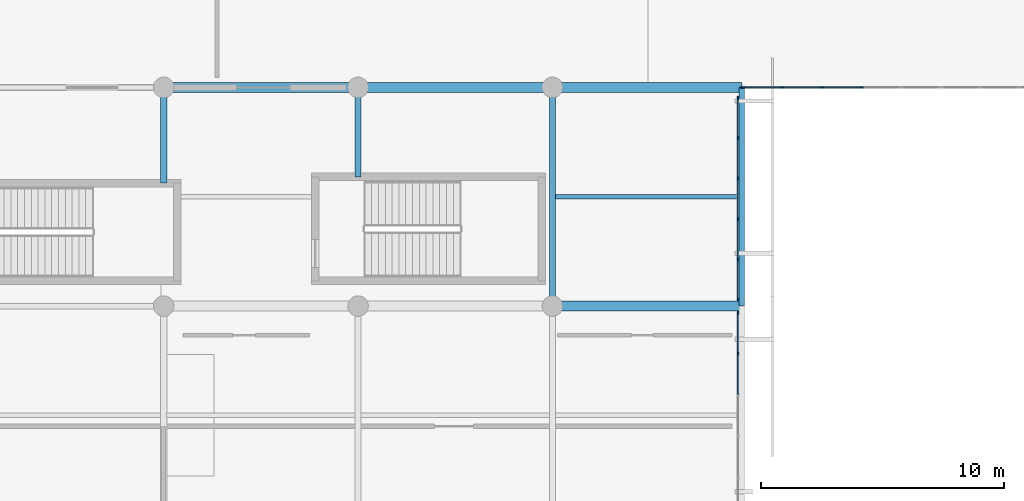
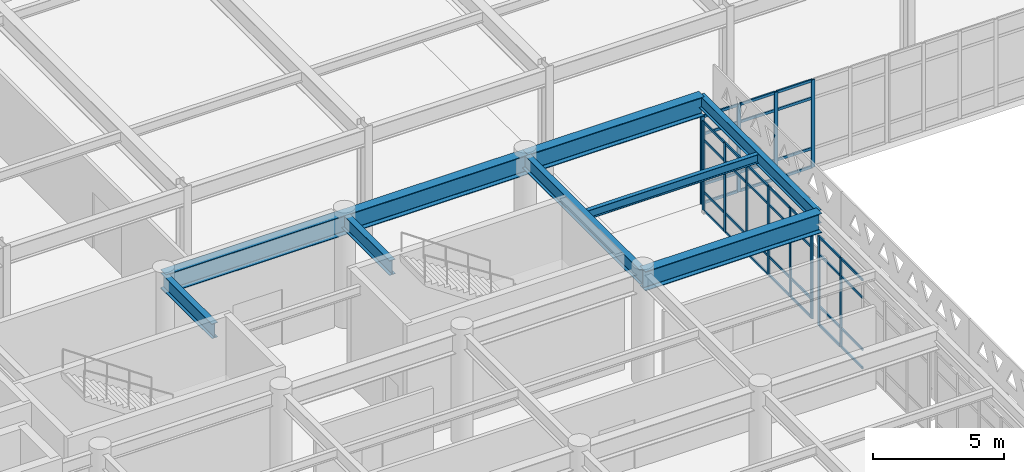
# One storey, part 25 of 84: 52 members, 8 beams, 3 elements without a shape of their own.
"""IFC4 building model written with IfcOpenShell, lengths in metres."""

import ifcopenshell
import ifcopenshell.guid

model = None  # the IFC model being written
_history = None  # IfcOwnerHistory: only IFC2X3 demands one
_inside = {}  # id of a spatial element -> (the spatial element, [elements in it])
_under = {}  # id of a project, library or spatial element -> (it, [spatial elements below it])
_declared = {}  # id of a project -> (the project, [libraries it declares])
_typed = {}  # id of a type object -> (the type object, [elements of that type])
_made_of = {}  # id of a material, layer set ... -> (it, [elements and type objects made of it])


def new_model(schema):
    """Start an empty IFC model of exactly this schema.

    Asked for "IFC4X3", IfcOpenShell would pick the latest addendum, in which some entities
    have other attributes; the version numbers below select the first issue.
    IFC2X3 requires an IfcOwnerHistory on every rooted entity: one is made here for all.
    """
    global model, _history
    if schema == "IFC4X3":
        model = ifcopenshell.file(schema_version=(4, 3, 0, 0))
    else:
        model = ifcopenshell.file(schema=schema)
    _inside.clear()
    _under.clear()
    _declared.clear()
    _typed.clear()
    _made_of.clear()
    _history = None
    if model.schema == "IFC2X3":
        org = make("IfcOrganization", Name="unknown")
        user = make(
            "IfcPersonAndOrganization",
            ThePerson=make("IfcPerson", FamilyName="unknown"),
            TheOrganization=org,
        )
        app = make(
            "IfcApplication",
            ApplicationDeveloper=org,
            Version="unknown",
            ApplicationFullName="unknown",
            ApplicationIdentifier="unknown",
        )
        _history = make(
            "IfcOwnerHistory",
            OwningUser=user,
            OwningApplication=app,
            ChangeAction="ADDED",
            CreationDate=0,
        )
    return model


def make(cls, **values):
    """One entity of the class cls with the attributes given. An attribute that is None is left unset."""
    return model.create_entity(
        cls, **{name: value for name, value in values.items() if value is not None}
    )


def rooted(cls, **values):
    """An entity with a GlobalId (a new one), such as an element, a storey or a relation."""
    return make(cls, GlobalId=ifcopenshell.guid.new(), OwnerHistory=_history, **values)


def si_unit(unit_type, name, prefix=None):
    """IfcSIUnit, for example si_unit("LENGTHUNIT", "METRE", prefix="MILLI")."""
    return make("IfcSIUnit", UnitType=unit_type, Prefix=prefix, Name=name)


def assignment(units):
    """IfcUnitAssignment: the units of a project."""
    return None if units is None else make("IfcUnitAssignment", Units=units)


def point(xyz):
    """IfcCartesianPoint."""
    return None if xyz is None else make("IfcCartesianPoint", Coordinates=xyz)


def direction(xyz):
    """IfcDirection."""
    return None if xyz is None else make("IfcDirection", DirectionRatios=xyz)


def frame(location, z_axis=None, x_axis=None):
    """IfcAxis2Placement3D, a coordinate frame: its origin and axes. An axis left out is left unset."""
    return make(
        "IfcAxis2Placement3D",
        Location=point(location),
        Axis=direction(z_axis),
        RefDirection=direction(x_axis),
    )


def frame_2d(location, x_axis=None):
    """IfcAxis2Placement2D, a coordinate frame in the plane: its origin and x axis."""
    return make(
        "IfcAxis2Placement2D", Location=point(location), RefDirection=direction(x_axis)
    )


def origin():
    """The frame at (0, 0, 0) with its axes left unset."""
    return frame((0.0, 0.0, 0.0))


def origin_2d():
    """The frame at (0, 0) in the plane with its x axis left unset."""
    return frame_2d((0.0, 0.0))


def place(relative_to, where):
    """IfcLocalPlacement: puts the frame where relative to a parent placement (None: the world)."""
    return make(
        "IfcLocalPlacement", PlacementRelTo=relative_to, RelativePlacement=where
    )


def context(
    kind, dimensions, precision=None, world=None, true_north=None, identifier=None
):
    """IfcGeometricRepresentationContext, for example the 3D "Model" context."""
    return make(
        "IfcGeometricRepresentationContext",
        ContextIdentifier=identifier,
        ContextType=kind,
        CoordinateSpaceDimension=dimensions,
        Precision=precision,
        WorldCoordinateSystem=world,
        TrueNorth=true_north,
    )


def subcontext(parent, identifier, kind, view, scale=None):
    """IfcGeometricRepresentationSubContext, for example "Body" below "Model"."""
    return make(
        "IfcGeometricRepresentationSubContext",
        ContextIdentifier=identifier,
        ContextType=kind,
        ParentContext=parent,
        TargetScale=scale,
        TargetView=view,
    )


def project(units=None, contexts=None):
    """IfcProject with its units and contexts."""
    return rooted(
        "IfcProject",
        Name="project",
        RepresentationContexts=contexts,
        UnitsInContext=assignment(units),
    )


def spatial(cls, under=None, at=None, **own):
    """A site, building, storey or space (cls), placed at a placement, below another one or the project."""
    s = rooted(cls, ObjectPlacement=at, **own)
    if under is not None:
        _under.setdefault(under.id(), (under, []))[1].append(s)
    return s


def profile(cls, at=None, kind="AREA", **sizes):
    """A parametric profile (cls). Its sizes go by their IFC names, for example OverallWidth=200.0."""
    return make(cls, ProfileType=kind, Position=at, **sizes)


def rectangle(**sizes):
    """IfcRectangleProfileDef."""
    return profile("IfcRectangleProfileDef", **sizes)


def i_section(**sizes):
    """IfcIShapeProfileDef."""
    return profile("IfcIShapeProfileDef", **sizes)


def extrude(swept, where, along, depth):
    """IfcExtrudedAreaSolid: the profile swept, set in the frame where, extruded along a direction by depth."""
    return make(
        "IfcExtrudedAreaSolid",
        SweptArea=swept,
        Position=where,
        ExtrudedDirection=direction(along),
        Depth=depth,
    )


def shape(context_of_items, identifier, shape_type, items):
    """IfcShapeRepresentation: the items that make up one representation, for example the "Body"."""
    return make(
        "IfcShapeRepresentation",
        ContextOfItems=context_of_items,
        RepresentationIdentifier=identifier,
        RepresentationType=shape_type,
        Items=items,
    )


def material(Name=None, Category=None):
    """IfcMaterial."""
    return make("IfcMaterial", Name=Name, Category=Category)


def layer(
    of_material, thickness, ventilated=None, Name=None, Category=None, Priority=None
):
    """IfcMaterialLayer: one layer of a wall or slab, of a material (None: an air gap)."""
    return make(
        "IfcMaterialLayer",
        Material=of_material,
        LayerThickness=thickness,
        IsVentilated=ventilated,
        Name=Name,
        Category=Category,
        Priority=Priority,
    )


def layer_set(layers, Name=None):
    """IfcMaterialLayerSet."""
    return make("IfcMaterialLayerSet", MaterialLayers=layers, LayerSetName=Name)


def material_profile(
    of_material, cross_section, Name=None, Category=None, Priority=None
):
    """IfcMaterialProfile: a cross section and its material."""
    return make(
        "IfcMaterialProfile",
        Name=Name,
        Material=of_material,
        Profile=cross_section,
        Priority=Priority,
        Category=Category,
    )


def profile_set(profiles, Name=None, composite=None):
    """IfcMaterialProfileSet."""
    return make(
        "IfcMaterialProfileSet",
        Name=Name,
        MaterialProfiles=profiles,
        CompositeProfile=composite,
    )


def made_of(thing, what):
    """Note that an element or type object is made of a material, layer set ...; save() writes the relation."""
    if what is not None:
        _made_of.setdefault(what.id(), (what, []))[1].append(thing)
    return thing


def type_object(cls, material=None, **own):
    """A type object (cls), such as IfcWallType, which elements share."""
    return made_of(rooted(cls, **own), material)


def element(
    cls,
    number,
    at=None,
    inside=None,
    cuts=None,
    type_object=None,
    material=None,
    context=None,
    identifier="Body",
    shape_type=None,
    held_by="IfcProductDefinitionShape",
    body=None,
    shapes=None,
    **own,
):
    """One element of the class cls, such as IfcWall. Its Tag is "e" and its number.

    at: its placement. inside: the storey or other place that contains it. cuts: it is an
    opening in that element (IfcRelVoidsElement). A single representation is given by context,
    identifier, shape_type and body (its items); several are given by shapes. held_by: the class
    of the entity that holds the representations. save() writes the other relations.
    """
    e = rooted(cls, Tag="e%d" % number, ObjectPlacement=at, **own)
    if body is not None:
        shapes = [shape(context, identifier, shape_type, body)]
    if shapes is not None:
        e.Representation = make(held_by, Representations=shapes)
    if inside is not None:
        _inside.setdefault(inside.id(), (inside, []))[1].append(e)
    if cuts is not None:
        rooted(
            "IfcRelVoidsElement", RelatingBuildingElement=cuts, RelatedOpeningElement=e
        )
    if type_object is not None:
        _typed.setdefault(type_object.id(), (type_object, []))[1].append(e)
    return made_of(e, material)


def aggregate(whole, parts):
    """IfcRelAggregates: a whole, such as a stair, and the parts it consists of."""
    return rooted("IfcRelAggregates", RelatingObject=whole, RelatedObjects=parts)


def save(model, path):
    """Write the relations noted so far, then the file.

    IfcRelAggregates (storeys below a building ...), IfcRelContainedInSpatialStructure (elements
    in a storey), IfcRelDefinesByType, IfcRelAssociatesMaterial and IfcRelDeclares: one each for
    every whole, place, type object, material and project.
    """
    for whole, parts in _under.values():
        aggregate(whole, parts)
    for where, things in _inside.values():
        rooted(
            "IfcRelContainedInSpatialStructure",
            RelatedElements=things,
            RelatingStructure=where,
        )
    for kind, things in _typed.values():
        rooted("IfcRelDefinesByType", RelatedObjects=things, RelatingType=kind)
    for what, things in _made_of.values():
        rooted("IfcRelAssociatesMaterial", RelatedObjects=things, RelatingMaterial=what)
    for by, libraries in _declared.values():
        rooted("IfcRelDeclares", RelatingContext=by, RelatedDefinitions=libraries)
    model.write(path)


model = new_model("IFC4")

# Units and contexts
model_context = context("Model", 3, precision=1e-05, world=origin(), true_north=direction((0.0, 1.0)))
body_context = subcontext(model_context, "Body", "Model", "MODEL_VIEW")
ifc_project = project(units=[si_unit("LENGTHUNIT", "METRE"), si_unit("AREAUNIT", "SQUARE_METRE"), si_unit("VOLUMEUNIT", "CUBIC_METRE"), si_unit("PLANEANGLEUNIT", "RADIAN"), si_unit("MASSUNIT", "GRAM", prefix="KILO")], contexts=[model_context])

# Site, building, storey
site_placement = place(None, origin())
site = spatial("IfcSite", under=ifc_project, at=site_placement, CompositionType="ELEMENT")
building_placement = place(site_placement, origin())
building = spatial("IfcBuilding", under=site, at=building_placement, Name="Tlacozan Convention Centre", CompositionType="ELEMENT")
storey_placement = place(building_placement, frame((0.0, 0.0, 6.0)))
storey = spatial("IfcBuildingStorey", under=building, at=storey_placement, Name="L01", CompositionType="ELEMENT", Elevation=6.0)

# Beams
ifc_material_1 = material(Name="Steel ASTM A992 Grade 50", Category="steel")
ifc_material_profile_1 = material_profile(ifc_material_1, i_section(OverallWidth=0.41796875, OverallDepth=0.912109375, WebThickness=0.019287109375, FlangeThickness=0.031982421875, FilletRadius=0.02001953125, at=origin_2d()), Name="IR 914x342.0")
ifc_profile_set_1 = profile_set([ifc_material_profile_1], Name="Steel ASTM A992 Grade 50")
beam_type_1 = type_object("IfcBeamType", Name="Cantilever Girder IR 914x342", PredefinedType="BEAM", material=ifc_profile_set_1)
for number, where, z_axis, x_axis, name in (
    (1, (112.0, 18.0, 4.68408203125), (1.0, 0.0, 0.0), (0.0, 1.0, 0.0), "L01 Cantilever Girder IR 914x342 322"),
    (2, (112.0, 27.0, 4.68408203125), (1.0, 0.0, 0.0), (0.0, 1.0, 0.0), "L01 Cantilever Girder IR 914x342 326"),
):
    element("IfcBeam", number, at=place(storey_placement, frame(where, z_axis=z_axis, x_axis=x_axis)), inside=storey, type_object=beam_type_1, Name=name, PredefinedType="BEAM", context=body_context, shape_type="SweptSolid", body=[
        extrude(i_section(OverallWidth=0.41796875, OverallDepth=0.912109375, WebThickness=0.019287109375, FlangeThickness=0.031982421875, FilletRadius=0.02001953125, at=origin_2d()), origin(), (0.0, 0.0, 1.0), 7.800048828125),
    ])

# Curtain wall, members
ifc_material_2 = material(Name="Dark Bronze Anodised Aluminium", Category="aluminium")
ifc_layer_1 = layer(ifc_material_2, 0.159912109375)
ifc_layer_set_1 = layer_set([ifc_layer_1], Name="Dark Bronze Anodised Aluminium")
curtain_wall_type_1 = type_object("IfcCurtainWallType", Name="Unitised Congress Gable End CW06", PredefinedType="NOTDEFINED", material=ifc_layer_set_1)
curtain_wall_1_placement = place(storey_placement, origin())
curtain_wall_1 = element("IfcCurtainWall", 3, at=curtain_wall_1_placement, inside=storey, type_object=curtain_wall_type_1, Name="L01 CW-06 Run 75", PredefinedType="NOTDEFINED")
ifc_material_profile_2 = material_profile(ifc_material_2, rectangle(XDim=0.06005859375, YDim=0.139892578125, at=origin_2d()), Name="ALU 60x140")
ifc_profile_set_2 = profile_set([ifc_material_profile_2], Name="Dark Bronze Anodised Aluminium")
member_type_1 = type_object("IfcMemberType", Name="Curtain Wall Light Mullion 60x140", PredefinedType="MULLION", material=ifc_profile_set_2)
member_1_placement = place(storey_placement, frame((119.639892578125, 16.050048828125, 0.0), z_axis=(0.0, 0.0, 1.0), x_axis=(-1.0, 0.0, 0.0)))
member_1 = element("IfcMember", 4, at=member_1_placement, type_object=member_type_1, Name="CW-06 mullion 5", PredefinedType="MULLION", context=body_context, shape_type="SweptSolid", body=[
    extrude(rectangle(XDim=0.06005859375, YDim=0.139892578125, at=origin_2d()), origin(), (0.0, 0.0, 1.0), 4.179931640625),
])
member_2_placement = place(storey_placement, frame((119.639892578125, 17.719970703125, 0.0), z_axis=(0.0, 0.0, 1.0), x_axis=(-1.0, 0.0, 0.0)))
member_2 = element("IfcMember", 5, at=member_2_placement, type_object=member_type_1, Name="CW-06 mullion 6", PredefinedType="MULLION", context=body_context, shape_type="SweptSolid", body=[
    extrude(rectangle(XDim=0.06005859375, YDim=0.139892578125, at=origin_2d()), origin(), (0.0, 0.0, 1.0), 4.179931640625),
])

curtain_wall_2_placement = place(storey_placement, origin())
curtain_wall_2 = element("IfcCurtainWall", 6, at=curtain_wall_2_placement, inside=storey, type_object=curtain_wall_type_1, Name="L01 CW-06 Run 77", PredefinedType="NOTDEFINED")
member_3_placement = place(storey_placement, frame((119.639892578125, 18.280029296875, 0.0), z_axis=(0.0, 0.0, 1.0), x_axis=(-1.0, 0.0, 0.0)))
member_3 = element("IfcMember", 7, at=member_3_placement, type_object=member_type_1, Name="CW-06 mullion 1", PredefinedType="MULLION", context=body_context, shape_type="SweptSolid", body=[
    extrude(rectangle(XDim=0.06005859375, YDim=0.139892578125, at=origin_2d()), origin(), (0.0, 0.0, 1.0), 4.179931640625),
])
member_4_placement = place(storey_placement, frame((119.639892578125, 19.91796875, 0.0), z_axis=(0.0, 0.0, 1.0), x_axis=(-1.0, 0.0, 0.0)))
member_4 = element("IfcMember", 8, at=member_4_placement, type_object=member_type_1, Name="CW-06 mullion 2", PredefinedType="MULLION", context=body_context, shape_type="SweptSolid", body=[
    extrude(rectangle(XDim=0.06005859375, YDim=0.139892578125, at=origin_2d()), origin(), (0.0, 0.0, 1.0), 4.179931640625),
])
member_5_placement = place(storey_placement, frame((119.639892578125, 21.5859375, 0.0), z_axis=(0.0, 0.0, 1.0), x_axis=(-1.0, 0.0, 0.0)))
member_5 = element("IfcMember", 9, at=member_5_placement, type_object=member_type_1, Name="CW-06 mullion 3", PredefinedType="MULLION", context=body_context, shape_type="SweptSolid", body=[
    extrude(rectangle(XDim=0.06005859375, YDim=0.139892578125, at=origin_2d()), origin(), (0.0, 0.0, 1.0), 4.179931640625),
])
member_6_placement = place(storey_placement, frame((119.639892578125, 23.25390625, 0.0), z_axis=(0.0, 0.0, 1.0), x_axis=(-1.0, 0.0, 0.0)))
member_6 = element("IfcMember", 10, at=member_6_placement, type_object=member_type_1, Name="CW-06 mullion 4", PredefinedType="MULLION", context=body_context, shape_type="SweptSolid", body=[
    extrude(rectangle(XDim=0.06005859375, YDim=0.139892578125, at=origin_2d()), origin(), (0.0, 0.0, 1.0), 4.179931640625),
])
member_7_placement = place(storey_placement, frame((119.639892578125, 24.922119140625, 0.0), z_axis=(0.0, 0.0, 1.0), x_axis=(-1.0, 0.0, 0.0)))
member_7 = element("IfcMember", 11, at=member_7_placement, type_object=member_type_1, Name="CW-06 mullion 5", PredefinedType="MULLION", context=body_context, shape_type="SweptSolid", body=[
    extrude(rectangle(XDim=0.06005859375, YDim=0.139892578125, at=origin_2d()), origin(), (0.0, 0.0, 1.0), 4.179931640625),
])
member_8_placement = place(storey_placement, frame((119.639892578125, 26.56005859375, 0.0), z_axis=(0.0, 0.0, 1.0), x_axis=(-1.0, 0.0, 0.0)))
member_8 = element("IfcMember", 12, at=member_8_placement, type_object=member_type_1, Name="CW-06 mullion 6", PredefinedType="MULLION", context=body_context, shape_type="SweptSolid", body=[
    extrude(rectangle(XDim=0.06005859375, YDim=0.139892578125, at=origin_2d()), origin(), (0.0, 0.0, 1.0), 4.179931640625),
])

# Member
ifc_material_profile_3 = material_profile(ifc_material_2, rectangle(XDim=0.06005859375, YDim=0.110107421875, at=origin_2d()), Name="ALU 60x110")
ifc_profile_set_3 = profile_set([ifc_material_profile_3], Name="Dark Bronze Anodised Aluminium")
member_type_2 = type_object("IfcMemberType", Name="Curtain Wall Light Transom 60x110", PredefinedType="USERDEFINED", material=ifc_profile_set_3)
member_9_placement = place(storey_placement, frame((119.639892578125, 14.3798828125, 0.030029296875), z_axis=(0.0, 1.0, 0.0), x_axis=(-1.0, 0.0, 0.0)))
member_9 = element("IfcMember", 13, at=member_9_placement, type_object=member_type_2, Name="CW-06 transom 4.1", ObjectType="TRANSOM", PredefinedType="USERDEFINED", context=body_context, shape_type="SweptSolid", body=[
    extrude(rectangle(XDim=0.06005859375, YDim=0.110107421875, at=origin_2d()), origin(), (0.0, 0.0, 1.0), 1.64013671875),
])

member_10_placement = place(storey_placement, frame((119.639892578125, 14.3798828125, 0.89990234375), z_axis=(0.0, 1.0, 0.0), x_axis=(-1.0, 0.0, 0.0)))
member_10 = element("IfcMember", 14, at=member_10_placement, type_object=member_type_2, Name="CW-06 transom 4.2", ObjectType="TRANSOM", PredefinedType="USERDEFINED", context=body_context, shape_type="SweptSolid", body=[
    extrude(rectangle(XDim=0.06005859375, YDim=0.110107421875, at=origin_2d()), origin(), (0.0, 0.0, 1.0), 1.64013671875),
])

member_11_placement = place(storey_placement, frame((119.639892578125, 14.3798828125, 3.330078125), z_axis=(0.0, 1.0, 0.0), x_axis=(-1.0, 0.0, 0.0)))
member_11 = element("IfcMember", 15, at=member_11_placement, type_object=member_type_2, Name="CW-06 transom 4.3", ObjectType="TRANSOM", PredefinedType="USERDEFINED", context=body_context, shape_type="SweptSolid", body=[
    extrude(rectangle(XDim=0.06005859375, YDim=0.110107421875, at=origin_2d()), origin(), (0.0, 0.0, 1.0), 1.64013671875),
])

member_12_placement = place(storey_placement, frame((119.639892578125, 14.3798828125, 4.14990234375), z_axis=(0.0, 1.0, 0.0), x_axis=(-1.0, 0.0, 0.0)))
member_12 = element("IfcMember", 16, at=member_12_placement, type_object=member_type_2, Name="CW-06 transom 4.4", ObjectType="TRANSOM", PredefinedType="USERDEFINED", context=body_context, shape_type="SweptSolid", body=[
    extrude(rectangle(XDim=0.06005859375, YDim=0.110107421875, at=origin_2d()), origin(), (0.0, 0.0, 1.0), 1.64013671875),
])

member_13_placement = place(storey_placement, frame((119.639892578125, 16.080078125, 0.030029296875), z_axis=(0.0, 1.0, 0.0), x_axis=(-1.0, 0.0, 0.0)))
member_13 = element("IfcMember", 17, at=member_13_placement, type_object=member_type_2, Name="CW-06 transom 5.1", ObjectType="TRANSOM", PredefinedType="USERDEFINED", context=body_context, shape_type="SweptSolid", body=[
    extrude(rectangle(XDim=0.06005859375, YDim=0.110107421875, at=origin_2d()), origin(), (0.0, 0.0, 1.0), 1.60986328125),
])

member_14_placement = place(storey_placement, frame((119.639892578125, 16.080078125, 0.89990234375), z_axis=(0.0, 1.0, 0.0), x_axis=(-1.0, 0.0, 0.0)))
member_14 = element("IfcMember", 18, at=member_14_placement, type_object=member_type_2, Name="CW-06 transom 5.2", ObjectType="TRANSOM", PredefinedType="USERDEFINED", context=body_context, shape_type="SweptSolid", body=[
    extrude(rectangle(XDim=0.06005859375, YDim=0.110107421875, at=origin_2d()), origin(), (0.0, 0.0, 1.0), 1.60986328125),
])

member_15_placement = place(storey_placement, frame((119.639892578125, 16.080078125, 3.330078125), z_axis=(0.0, 1.0, 0.0), x_axis=(-1.0, 0.0, 0.0)))
member_15 = element("IfcMember", 19, at=member_15_placement, type_object=member_type_2, Name="CW-06 transom 5.3", ObjectType="TRANSOM", PredefinedType="USERDEFINED", context=body_context, shape_type="SweptSolid", body=[
    extrude(rectangle(XDim=0.06005859375, YDim=0.110107421875, at=origin_2d()), origin(), (0.0, 0.0, 1.0), 1.60986328125),
])

member_16_placement = place(storey_placement, frame((119.639892578125, 16.080078125, 4.14990234375), z_axis=(0.0, 1.0, 0.0), x_axis=(-1.0, 0.0, 0.0)))
member_16 = element("IfcMember", 20, at=member_16_placement, type_object=member_type_2, Name="CW-06 transom 5.4", ObjectType="TRANSOM", PredefinedType="USERDEFINED", context=body_context, shape_type="SweptSolid", body=[
    extrude(rectangle(XDim=0.06005859375, YDim=0.110107421875, at=origin_2d()), origin(), (0.0, 0.0, 1.0), 1.60986328125),
])

aggregate(curtain_wall_1, [member_1, member_2, member_9, member_10, member_11, member_12, member_13, member_14, member_15, member_16])

member_17_placement = place(storey_placement, frame((119.639892578125, 18.31005859375, 0.030029296875), z_axis=(0.0, 1.0, 0.0), x_axis=(-1.0, 0.0, 0.0)))
member_17 = element("IfcMember", 21, at=member_17_placement, type_object=member_type_2, Name="CW-06 transom 1.1", ObjectType="TRANSOM", PredefinedType="USERDEFINED", context=body_context, shape_type="SweptSolid", body=[
    extrude(rectangle(XDim=0.06005859375, YDim=0.110107421875, at=origin_2d()), origin(), (0.0, 0.0, 1.0), 1.577880859375),
])

member_18_placement = place(storey_placement, frame((119.639892578125, 18.31005859375, 0.89990234375), z_axis=(0.0, 1.0, 0.0), x_axis=(-1.0, 0.0, 0.0)))
member_18 = element("IfcMember", 22, at=member_18_placement, type_object=member_type_2, Name="CW-06 transom 1.2", ObjectType="TRANSOM", PredefinedType="USERDEFINED", context=body_context, shape_type="SweptSolid", body=[
    extrude(rectangle(XDim=0.06005859375, YDim=0.110107421875, at=origin_2d()), origin(), (0.0, 0.0, 1.0), 1.577880859375),
])

member_19_placement = place(storey_placement, frame((119.639892578125, 18.31005859375, 3.330078125), z_axis=(0.0, 1.0, 0.0), x_axis=(-1.0, 0.0, 0.0)))
member_19 = element("IfcMember", 23, at=member_19_placement, type_object=member_type_2, Name="CW-06 transom 1.3", ObjectType="TRANSOM", PredefinedType="USERDEFINED", context=body_context, shape_type="SweptSolid", body=[
    extrude(rectangle(XDim=0.06005859375, YDim=0.110107421875, at=origin_2d()), origin(), (0.0, 0.0, 1.0), 1.577880859375),
])

member_20_placement = place(storey_placement, frame((119.639892578125, 18.31005859375, 4.14990234375), z_axis=(0.0, 1.0, 0.0), x_axis=(-1.0, 0.0, 0.0)))
member_20 = element("IfcMember", 24, at=member_20_placement, type_object=member_type_2, Name="CW-06 transom 1.4", ObjectType="TRANSOM", PredefinedType="USERDEFINED", context=body_context, shape_type="SweptSolid", body=[
    extrude(rectangle(XDim=0.06005859375, YDim=0.110107421875, at=origin_2d()), origin(), (0.0, 0.0, 1.0), 1.577880859375),
])

member_21_placement = place(storey_placement, frame((119.639892578125, 19.947998046875, 0.030029296875), z_axis=(0.0, 1.0, 0.0), x_axis=(-1.0, 0.0, 0.0)))
member_21 = element("IfcMember", 25, at=member_21_placement, type_object=member_type_2, Name="CW-06 transom 2.1", ObjectType="TRANSOM", PredefinedType="USERDEFINED", context=body_context, shape_type="SweptSolid", body=[
    extrude(rectangle(XDim=0.06005859375, YDim=0.110107421875, at=origin_2d()), origin(), (0.0, 0.0, 1.0), 1.60791015625),
])

member_22_placement = place(storey_placement, frame((119.639892578125, 19.947998046875, 0.89990234375), z_axis=(0.0, 1.0, 0.0), x_axis=(-1.0, 0.0, 0.0)))
member_22 = element("IfcMember", 26, at=member_22_placement, type_object=member_type_2, Name="CW-06 transom 2.2", ObjectType="TRANSOM", PredefinedType="USERDEFINED", context=body_context, shape_type="SweptSolid", body=[
    extrude(rectangle(XDim=0.06005859375, YDim=0.110107421875, at=origin_2d()), origin(), (0.0, 0.0, 1.0), 1.60791015625),
])

member_23_placement = place(storey_placement, frame((119.639892578125, 19.947998046875, 3.330078125), z_axis=(0.0, 1.0, 0.0), x_axis=(-1.0, 0.0, 0.0)))
member_23 = element("IfcMember", 27, at=member_23_placement, type_object=member_type_2, Name="CW-06 transom 2.3", ObjectType="TRANSOM", PredefinedType="USERDEFINED", context=body_context, shape_type="SweptSolid", body=[
    extrude(rectangle(XDim=0.06005859375, YDim=0.110107421875, at=origin_2d()), origin(), (0.0, 0.0, 1.0), 1.60791015625),
])

member_24_placement = place(storey_placement, frame((119.639892578125, 19.947998046875, 4.14990234375), z_axis=(0.0, 1.0, 0.0), x_axis=(-1.0, 0.0, 0.0)))
member_24 = element("IfcMember", 28, at=member_24_placement, type_object=member_type_2, Name="CW-06 transom 2.4", ObjectType="TRANSOM", PredefinedType="USERDEFINED", context=body_context, shape_type="SweptSolid", body=[
    extrude(rectangle(XDim=0.06005859375, YDim=0.110107421875, at=origin_2d()), origin(), (0.0, 0.0, 1.0), 1.60791015625),
])

member_25_placement = place(storey_placement, frame((119.639892578125, 21.615966796875, 0.030029296875), z_axis=(0.0, 1.0, 0.0), x_axis=(-1.0, 0.0, 0.0)))
member_25 = element("IfcMember", 29, at=member_25_placement, type_object=member_type_2, Name="CW-06 transom 3.1", ObjectType="TRANSOM", PredefinedType="USERDEFINED", context=body_context, shape_type="SweptSolid", body=[
    extrude(rectangle(XDim=0.06005859375, YDim=0.110107421875, at=origin_2d()), origin(), (0.0, 0.0, 1.0), 1.608154296875),
])

member_26_placement = place(storey_placement, frame((119.639892578125, 21.615966796875, 0.89990234375), z_axis=(0.0, 1.0, 0.0), x_axis=(-1.0, 0.0, 0.0)))
member_26 = element("IfcMember", 30, at=member_26_placement, type_object=member_type_2, Name="CW-06 transom 3.2", ObjectType="TRANSOM", PredefinedType="USERDEFINED", context=body_context, shape_type="SweptSolid", body=[
    extrude(rectangle(XDim=0.06005859375, YDim=0.110107421875, at=origin_2d()), origin(), (0.0, 0.0, 1.0), 1.608154296875),
])

member_27_placement = place(storey_placement, frame((119.639892578125, 21.615966796875, 3.330078125), z_axis=(0.0, 1.0, 0.0), x_axis=(-1.0, 0.0, 0.0)))
member_27 = element("IfcMember", 31, at=member_27_placement, type_object=member_type_2, Name="CW-06 transom 3.3", ObjectType="TRANSOM", PredefinedType="USERDEFINED", context=body_context, shape_type="SweptSolid", body=[
    extrude(rectangle(XDim=0.06005859375, YDim=0.110107421875, at=origin_2d()), origin(), (0.0, 0.0, 1.0), 1.608154296875),
])

member_28_placement = place(storey_placement, frame((119.639892578125, 21.615966796875, 4.14990234375), z_axis=(0.0, 1.0, 0.0), x_axis=(-1.0, 0.0, 0.0)))
member_28 = element("IfcMember", 32, at=member_28_placement, type_object=member_type_2, Name="CW-06 transom 3.4", ObjectType="TRANSOM", PredefinedType="USERDEFINED", context=body_context, shape_type="SweptSolid", body=[
    extrude(rectangle(XDim=0.06005859375, YDim=0.110107421875, at=origin_2d()), origin(), (0.0, 0.0, 1.0), 1.608154296875),
])

member_29_placement = place(storey_placement, frame((119.639892578125, 23.283935546875, 0.030029296875), z_axis=(0.0, 1.0, 0.0), x_axis=(-1.0, 0.0, 0.0)))
member_29 = element("IfcMember", 33, at=member_29_placement, type_object=member_type_2, Name="CW-06 transom 4.1", ObjectType="TRANSOM", PredefinedType="USERDEFINED", context=body_context, shape_type="SweptSolid", body=[
    extrude(rectangle(XDim=0.06005859375, YDim=0.110107421875, at=origin_2d()), origin(), (0.0, 0.0, 1.0), 1.608154296875),
])

member_30_placement = place(storey_placement, frame((119.639892578125, 23.283935546875, 0.89990234375), z_axis=(0.0, 1.0, 0.0), x_axis=(-1.0, 0.0, 0.0)))
member_30 = element("IfcMember", 34, at=member_30_placement, type_object=member_type_2, Name="CW-06 transom 4.2", ObjectType="TRANSOM", PredefinedType="USERDEFINED", context=body_context, shape_type="SweptSolid", body=[
    extrude(rectangle(XDim=0.06005859375, YDim=0.110107421875, at=origin_2d()), origin(), (0.0, 0.0, 1.0), 1.608154296875),
])

member_31_placement = place(storey_placement, frame((119.639892578125, 23.283935546875, 3.330078125), z_axis=(0.0, 1.0, 0.0), x_axis=(-1.0, 0.0, 0.0)))
member_31 = element("IfcMember", 35, at=member_31_placement, type_object=member_type_2, Name="CW-06 transom 4.3", ObjectType="TRANSOM", PredefinedType="USERDEFINED", context=body_context, shape_type="SweptSolid", body=[
    extrude(rectangle(XDim=0.06005859375, YDim=0.110107421875, at=origin_2d()), origin(), (0.0, 0.0, 1.0), 1.608154296875),
])

member_32_placement = place(storey_placement, frame((119.639892578125, 23.283935546875, 4.14990234375), z_axis=(0.0, 1.0, 0.0), x_axis=(-1.0, 0.0, 0.0)))
member_32 = element("IfcMember", 36, at=member_32_placement, type_object=member_type_2, Name="CW-06 transom 4.4", ObjectType="TRANSOM", PredefinedType="USERDEFINED", context=body_context, shape_type="SweptSolid", body=[
    extrude(rectangle(XDim=0.06005859375, YDim=0.110107421875, at=origin_2d()), origin(), (0.0, 0.0, 1.0), 1.608154296875),
])

member_33_placement = place(storey_placement, frame((119.639892578125, 24.951904296875, 0.030029296875), z_axis=(0.0, 1.0, 0.0), x_axis=(-1.0, 0.0, 0.0)))
member_33 = element("IfcMember", 37, at=member_33_placement, type_object=member_type_2, Name="CW-06 transom 5.1", ObjectType="TRANSOM", PredefinedType="USERDEFINED", context=body_context, shape_type="SweptSolid", body=[
    extrude(rectangle(XDim=0.06005859375, YDim=0.110107421875, at=origin_2d()), origin(), (0.0, 0.0, 1.0), 1.578125),
])

member_34_placement = place(storey_placement, frame((119.639892578125, 24.951904296875, 0.89990234375), z_axis=(0.0, 1.0, 0.0), x_axis=(-1.0, 0.0, 0.0)))
member_34 = element("IfcMember", 38, at=member_34_placement, type_object=member_type_2, Name="CW-06 transom 5.2", ObjectType="TRANSOM", PredefinedType="USERDEFINED", context=body_context, shape_type="SweptSolid", body=[
    extrude(rectangle(XDim=0.06005859375, YDim=0.110107421875, at=origin_2d()), origin(), (0.0, 0.0, 1.0), 1.578125),
])

member_35_placement = place(storey_placement, frame((119.639892578125, 24.951904296875, 3.330078125), z_axis=(0.0, 1.0, 0.0), x_axis=(-1.0, 0.0, 0.0)))
member_35 = element("IfcMember", 39, at=member_35_placement, type_object=member_type_2, Name="CW-06 transom 5.3", ObjectType="TRANSOM", PredefinedType="USERDEFINED", context=body_context, shape_type="SweptSolid", body=[
    extrude(rectangle(XDim=0.06005859375, YDim=0.110107421875, at=origin_2d()), origin(), (0.0, 0.0, 1.0), 1.578125),
])

member_36_placement = place(storey_placement, frame((119.639892578125, 24.951904296875, 4.14990234375), z_axis=(0.0, 1.0, 0.0), x_axis=(-1.0, 0.0, 0.0)))
member_36 = element("IfcMember", 40, at=member_36_placement, type_object=member_type_2, Name="CW-06 transom 5.4", ObjectType="TRANSOM", PredefinedType="USERDEFINED", context=body_context, shape_type="SweptSolid", body=[
    extrude(rectangle(XDim=0.06005859375, YDim=0.110107421875, at=origin_2d()), origin(), (0.0, 0.0, 1.0), 1.578125),
])

aggregate(curtain_wall_2, [member_3, member_4, member_5, member_6, member_7, member_8, member_17, member_18, member_19, member_20, member_21, member_22, member_23, member_24, member_25, member_26, member_27, member_28, member_29, member_30, member_31, member_32, member_33, member_34, member_35, member_36])

# Curtain wall, members
ifc_layer_2 = layer(ifc_material_2, 0.199951171875)
ifc_layer_set_2 = layer_set([ifc_layer_2], Name="Dark Bronze Anodised Aluminium")
curtain_wall_type_2 = type_object("IfcCurtainWallType", Name="Unitised Ballroom Cloister L01 CW08", PredefinedType="NOTDEFINED", material=ifc_layer_set_2)
curtain_wall_3_placement = place(storey_placement, origin())
curtain_wall_3 = element("IfcCurtainWall", 41, at=curtain_wall_3_placement, inside=storey, type_object=curtain_wall_type_2, Name="L01 CW-08 Run 165", PredefinedType="NOTDEFINED")
ifc_material_profile_4 = material_profile(ifc_material_2, rectangle(XDim=0.06494140625, YDim=0.159912109375, at=origin_2d()), Name="ALU 65x160")
ifc_profile_set_4 = profile_set([ifc_material_profile_4], Name="Dark Bronze Anodised Aluminium")
member_type_3 = type_object("IfcMemberType", Name="Curtain Wall Mullion 65x160", PredefinedType="MULLION", material=ifc_profile_set_4)
member_37_placement = place(storey_placement, frame((119.83251953125, 27.0, 0.0), z_axis=(0.0, 0.0, 1.0), x_axis=(0.0, 1.0, 0.0)))
member_37 = element("IfcMember", 42, at=member_37_placement, type_object=member_type_3, Name="CW-08 mullion 1", PredefinedType="MULLION", context=body_context, shape_type="SweptSolid", body=[
    extrude(rectangle(XDim=0.06494140625, YDim=0.159912109375, at=origin_2d()), origin(), (0.0, 0.0, 1.0), 4.10009765625),
])
member_38_placement = place(storey_placement, frame((121.43994140625, 27.0, 0.0), z_axis=(0.0, 0.0, 1.0), x_axis=(0.0, 1.0, 0.0)))
member_38 = element("IfcMember", 43, at=member_38_placement, type_object=member_type_3, Name="CW-08 mullion 2", PredefinedType="MULLION", context=body_context, shape_type="SweptSolid", body=[
    extrude(rectangle(XDim=0.06494140625, YDim=0.159912109375, at=origin_2d()), origin(), (0.0, 0.0, 1.0), 4.10009765625),
])
member_39_placement = place(storey_placement, frame((123.080078125, 27.0, 0.0), z_axis=(0.0, 0.0, 1.0), x_axis=(0.0, 1.0, 0.0)))
member_39 = element("IfcMember", 44, at=member_39_placement, type_object=member_type_3, Name="CW-08 mullion 3", PredefinedType="MULLION", context=body_context, shape_type="SweptSolid", body=[
    extrude(rectangle(XDim=0.06494140625, YDim=0.159912109375, at=origin_2d()), origin(), (0.0, 0.0, 1.0), 4.10009765625),
])
member_40_placement = place(storey_placement, frame((124.719970703125, 27.0, 0.0), z_axis=(0.0, 0.0, 1.0), x_axis=(0.0, 1.0, 0.0)))
member_40 = element("IfcMember", 45, at=member_40_placement, type_object=member_type_3, Name="CW-08 mullion 4", PredefinedType="MULLION", context=body_context, shape_type="SweptSolid", body=[
    extrude(rectangle(XDim=0.06494140625, YDim=0.159912109375, at=origin_2d()), origin(), (0.0, 0.0, 1.0), 4.10009765625),
])
ifc_material_profile_5 = material_profile(ifc_material_2, rectangle(XDim=0.06494140625, YDim=0.125, at=origin_2d()), Name="ALU 65x125")
ifc_profile_set_5 = profile_set([ifc_material_profile_5], Name="Dark Bronze Anodised Aluminium")
member_type_4 = type_object("IfcMemberType", Name="Curtain Wall Transom 65x125", PredefinedType="USERDEFINED", material=ifc_profile_set_5)
member_41_placement = place(storey_placement, frame((119.864990234375, 27.0, 0.032470703125), z_axis=(1.0, 0.0, 0.0), x_axis=(0.0, 1.0, 0.0)))
member_41 = element("IfcMember", 46, at=member_41_placement, type_object=member_type_4, Name="CW-08 transom 1.1", ObjectType="TRANSOM", PredefinedType="USERDEFINED", context=body_context, shape_type="SweptSolid", body=[
    extrude(rectangle(XDim=0.06494140625, YDim=0.125, at=origin_2d()), origin(), (0.0, 0.0, 1.0), 1.54248046875),
])
member_42_placement = place(storey_placement, frame((119.864990234375, 27.0, 0.89990234375), z_axis=(1.0, 0.0, 0.0), x_axis=(0.0, 1.0, 0.0)))
member_42 = element("IfcMember", 47, at=member_42_placement, type_object=member_type_4, Name="CW-08 transom 1.2", ObjectType="TRANSOM", PredefinedType="USERDEFINED", context=body_context, shape_type="SweptSolid", body=[
    extrude(rectangle(XDim=0.06494140625, YDim=0.125, at=origin_2d()), origin(), (0.0, 0.0, 1.0), 1.54248046875),
])
member_43_placement = place(storey_placement, frame((119.864990234375, 27.0, 3.25), z_axis=(1.0, 0.0, 0.0), x_axis=(0.0, 1.0, 0.0)))
member_43 = element("IfcMember", 48, at=member_43_placement, type_object=member_type_4, Name="CW-08 transom 1.3", ObjectType="TRANSOM", PredefinedType="USERDEFINED", context=body_context, shape_type="SweptSolid", body=[
    extrude(rectangle(XDim=0.06494140625, YDim=0.125, at=origin_2d()), origin(), (0.0, 0.0, 1.0), 1.54248046875),
])
member_44_placement = place(storey_placement, frame((119.864990234375, 27.0, 4.0673828125), z_axis=(1.0, 0.0, 0.0), x_axis=(0.0, 1.0, 0.0)))
member_44 = element("IfcMember", 49, at=member_44_placement, type_object=member_type_4, Name="CW-08 transom 1.4", ObjectType="TRANSOM", PredefinedType="USERDEFINED", context=body_context, shape_type="SweptSolid", body=[
    extrude(rectangle(XDim=0.06494140625, YDim=0.125, at=origin_2d()), origin(), (0.0, 0.0, 1.0), 1.54248046875),
])
member_45_placement = place(storey_placement, frame((121.472412109375, 27.0, 0.032470703125), z_axis=(1.0, 0.0, 0.0), x_axis=(0.0, 1.0, 0.0)))
member_45 = element("IfcMember", 50, at=member_45_placement, type_object=member_type_4, Name="CW-08 transom 2.1", ObjectType="TRANSOM", PredefinedType="USERDEFINED", context=body_context, shape_type="SweptSolid", body=[
    extrude(rectangle(XDim=0.06494140625, YDim=0.125, at=origin_2d()), origin(), (0.0, 0.0, 1.0), 1.5751953125),
])
member_46_placement = place(storey_placement, frame((121.472412109375, 27.0, 0.89990234375), z_axis=(1.0, 0.0, 0.0), x_axis=(0.0, 1.0, 0.0)))
member_46 = element("IfcMember", 51, at=member_46_placement, type_object=member_type_4, Name="CW-08 transom 2.2", ObjectType="TRANSOM", PredefinedType="USERDEFINED", context=body_context, shape_type="SweptSolid", body=[
    extrude(rectangle(XDim=0.06494140625, YDim=0.125, at=origin_2d()), origin(), (0.0, 0.0, 1.0), 1.5751953125),
])
member_47_placement = place(storey_placement, frame((121.472412109375, 27.0, 3.25), z_axis=(1.0, 0.0, 0.0), x_axis=(0.0, 1.0, 0.0)))
member_47 = element("IfcMember", 52, at=member_47_placement, type_object=member_type_4, Name="CW-08 transom 2.3", ObjectType="TRANSOM", PredefinedType="USERDEFINED", context=body_context, shape_type="SweptSolid", body=[
    extrude(rectangle(XDim=0.06494140625, YDim=0.125, at=origin_2d()), origin(), (0.0, 0.0, 1.0), 1.5751953125),
])
member_48_placement = place(storey_placement, frame((121.472412109375, 27.0, 4.0673828125), z_axis=(1.0, 0.0, 0.0), x_axis=(0.0, 1.0, 0.0)))
member_48 = element("IfcMember", 53, at=member_48_placement, type_object=member_type_4, Name="CW-08 transom 2.4", ObjectType="TRANSOM", PredefinedType="USERDEFINED", context=body_context, shape_type="SweptSolid", body=[
    extrude(rectangle(XDim=0.06494140625, YDim=0.125, at=origin_2d()), origin(), (0.0, 0.0, 1.0), 1.5751953125),
])
member_49_placement = place(storey_placement, frame((123.112548828125, 27.0, 0.032470703125), z_axis=(1.0, 0.0, 0.0), x_axis=(0.0, 1.0, 0.0)))
member_49 = element("IfcMember", 54, at=member_49_placement, type_object=member_type_4, Name="CW-08 transom 3.1", ObjectType="TRANSOM", PredefinedType="USERDEFINED", context=body_context, shape_type="SweptSolid", body=[
    extrude(rectangle(XDim=0.06494140625, YDim=0.125, at=origin_2d()), origin(), (0.0, 0.0, 1.0), 1.574951171875),
])
member_50_placement = place(storey_placement, frame((123.112548828125, 27.0, 0.89990234375), z_axis=(1.0, 0.0, 0.0), x_axis=(0.0, 1.0, 0.0)))
member_50 = element("IfcMember", 55, at=member_50_placement, type_object=member_type_4, Name="CW-08 transom 3.2", ObjectType="TRANSOM", PredefinedType="USERDEFINED", context=body_context, shape_type="SweptSolid", body=[
    extrude(rectangle(XDim=0.06494140625, YDim=0.125, at=origin_2d()), origin(), (0.0, 0.0, 1.0), 1.574951171875),
])
member_51_placement = place(storey_placement, frame((123.112548828125, 27.0, 3.25), z_axis=(1.0, 0.0, 0.0), x_axis=(0.0, 1.0, 0.0)))
member_51 = element("IfcMember", 56, at=member_51_placement, type_object=member_type_4, Name="CW-08 transom 3.3", ObjectType="TRANSOM", PredefinedType="USERDEFINED", context=body_context, shape_type="SweptSolid", body=[
    extrude(rectangle(XDim=0.06494140625, YDim=0.125, at=origin_2d()), origin(), (0.0, 0.0, 1.0), 1.574951171875),
])
member_52_placement = place(storey_placement, frame((123.112548828125, 27.0, 4.0673828125), z_axis=(1.0, 0.0, 0.0), x_axis=(0.0, 1.0, 0.0)))
member_52 = element("IfcMember", 57, at=member_52_placement, type_object=member_type_4, Name="CW-08 transom 3.4", ObjectType="TRANSOM", PredefinedType="USERDEFINED", context=body_context, shape_type="SweptSolid", body=[
    extrude(rectangle(XDim=0.06494140625, YDim=0.125, at=origin_2d()), origin(), (0.0, 0.0, 1.0), 1.574951171875),
])
aggregate(curtain_wall_3, [member_37, member_38, member_39, member_40, member_41, member_42, member_43, member_44, member_45, member_46, member_47, member_48, member_49, member_50, member_51, member_52])

# Beams
ifc_material_profile_6 = material_profile(ifc_material_1, i_section(OverallWidth=0.256103515625, OverallDepth=0.693115234375, WebThickness=0.014404296875, FlangeThickness=0.023681640625, FilletRadius=0.014892578125, at=origin_2d()), Name="IR 686x170.0")
ifc_profile_set_6 = profile_set([ifc_material_profile_6], Name="Steel ASTM A992 Grade 50")
beam_type_2 = type_object("IfcBeamType", Name="Girder Steel IR 686x170", PredefinedType="BEAM", material=ifc_profile_set_6)
beam_1_placement = place(storey_placement, frame((96.0, 23.06005859375, 4.79345703125), z_axis=(0.0, 1.0, 0.0), x_axis=(-1.0, 0.0, 0.0)))
element("IfcBeam", 58, at=beam_1_placement, inside=storey, type_object=beam_type_2, Name="L01 Girder Steel IR 686x170 298", PredefinedType="BEAM", context=body_context, shape_type="SweptSolid", body=[
    extrude(i_section(OverallWidth=0.256103515625, OverallDepth=0.693115234375, WebThickness=0.014404296875, FlangeThickness=0.023681640625, FilletRadius=0.014892578125, at=origin_2d()), origin(), (0.0, 0.0, 1.0), 3.93994140625),
])
beam_2_placement = place(storey_placement, frame((104.0, 23.320068359375, 4.79345703125), z_axis=(0.0, 1.0, 0.0), x_axis=(-1.0, 0.0, 0.0)))
element("IfcBeam", 59, at=beam_2_placement, inside=storey, type_object=beam_type_2, Name="L01 Girder Steel IR 686x170 301", PredefinedType="BEAM", context=body_context, shape_type="SweptSolid", body=[
    extrude(i_section(OverallWidth=0.256103515625, OverallDepth=0.693115234375, WebThickness=0.014404296875, FlangeThickness=0.023681640625, FilletRadius=0.014892578125, at=origin_2d()), origin(), (0.0, 0.0, 1.0), 3.679931640625),
])
beam_3_placement = place(storey_placement, frame((112.0, 18.0, 4.79345703125), z_axis=(0.0, 1.0, 0.0), x_axis=(-1.0, 0.0, 0.0)))
element("IfcBeam", 60, at=beam_3_placement, inside=storey, type_object=beam_type_2, Name="L01 Girder Steel IR 686x170 304", PredefinedType="BEAM", context=body_context, shape_type="SweptSolid", body=[
    extrude(i_section(OverallWidth=0.256103515625, OverallDepth=0.693115234375, WebThickness=0.014404296875, FlangeThickness=0.023681640625, FilletRadius=0.014892578125, at=origin_2d()), origin(), (0.0, 0.0, 1.0), 9.0),
])
ifc_material_profile_7 = material_profile(ifc_material_1, i_section(OverallWidth=0.22900390625, OverallDepth=0.612060546875, WebThickness=0.011962890625, FlangeThickness=0.01953125, FilletRadius=0.012939453125, at=origin_2d()), Name="IR 610x125.0")
ifc_profile_set_7 = profile_set([ifc_material_profile_7], Name="Steel ASTM A992 Grade 50")
beam_type_3 = type_object("IfcBeamType", Name="Perimeter Spandrel IR 610x125", PredefinedType="SPANDREL", material=ifc_profile_set_7)
beam_4_placement = place(storey_placement, frame((119.800048828125, 18.0, 4.833984375), z_axis=(0.0, 1.0, 0.0), x_axis=(-1.0, 0.0, 0.0)))
element("IfcBeam", 61, at=beam_4_placement, inside=storey, type_object=beam_type_3, Name="L01 Perimeter Spandrel IR 610x125 310", PredefinedType="SPANDREL", context=body_context, shape_type="SweptSolid", body=[
    extrude(i_section(OverallWidth=0.22900390625, OverallDepth=0.612060546875, WebThickness=0.011962890625, FlangeThickness=0.01953125, FilletRadius=0.012939453125, at=origin_2d()), origin(), (0.0, 0.0, 1.0), 9.0),
])
ifc_material_profile_8 = material_profile(ifc_material_1, i_section(OverallWidth=0.179931640625, OverallDepth=0.4130859375, WebThickness=0.009765625, FlangeThickness=0.01611328125, FilletRadius=0.010986328125, at=origin_2d()), Name="IR 406x74.4")
ifc_profile_set_8 = profile_set([ifc_material_profile_8], Name="Steel ASTM A992 Grade 50")
beam_type_4 = type_object("IfcBeamType", Name="Secondary Joist IR 406x74.4", PredefinedType="JOIST", material=ifc_profile_set_8)
beam_5_placement = place(storey_placement, frame((112.1259765625, 22.5, 4.93359375), z_axis=(1.0, 0.0, 0.0), x_axis=(0.0, 1.0, 0.0)))
element("IfcBeam", 62, at=beam_5_placement, inside=storey, type_object=beam_type_4, Name="L01 Secondary Joist IR 406x74.4 399", PredefinedType="JOIST", context=body_context, shape_type="SweptSolid", body=[
    extrude(i_section(OverallWidth=0.179931640625, OverallDepth=0.4130859375, WebThickness=0.009765625, FlangeThickness=0.01611328125, FilletRadius=0.010986328125, at=origin_2d()), origin(), (0.0, 0.0, 1.0), 7.548095703125),
])
ifc_material_profile_9 = material_profile(ifc_material_1, i_section(OverallWidth=0.41796875, OverallDepth=0.912109375, WebThickness=0.019287109375, FlangeThickness=0.031982421875, FilletRadius=0.02001953125, at=origin_2d()), Name="IR 914x342.0")
ifc_profile_set_9 = profile_set([ifc_material_profile_9], Name="Steel ASTM A992 Grade 50")
beam_type_5 = type_object("IfcBeamType", Name="Transfer Girder IR 914x342", PredefinedType="BEAM", material=ifc_profile_set_9)
beam_6_placement = place(storey_placement, frame((96.0, 27.0, 4.68408203125), z_axis=(1.0, 0.0, 0.0), x_axis=(0.0, 1.0, 0.0)))
element("IfcBeam", 63, at=beam_6_placement, inside=storey, type_object=beam_type_5, Name="L01 Transfer Girder IR 914x342 325", PredefinedType="BEAM", context=body_context, shape_type="SweptSolid", body=[
    extrude(i_section(OverallWidth=0.41796875, OverallDepth=0.912109375, WebThickness=0.019287109375, FlangeThickness=0.031982421875, FilletRadius=0.02001953125, at=origin_2d()), origin(), (0.0, 0.0, 1.0), 16.0),
])

save(model, "model.ifc")
